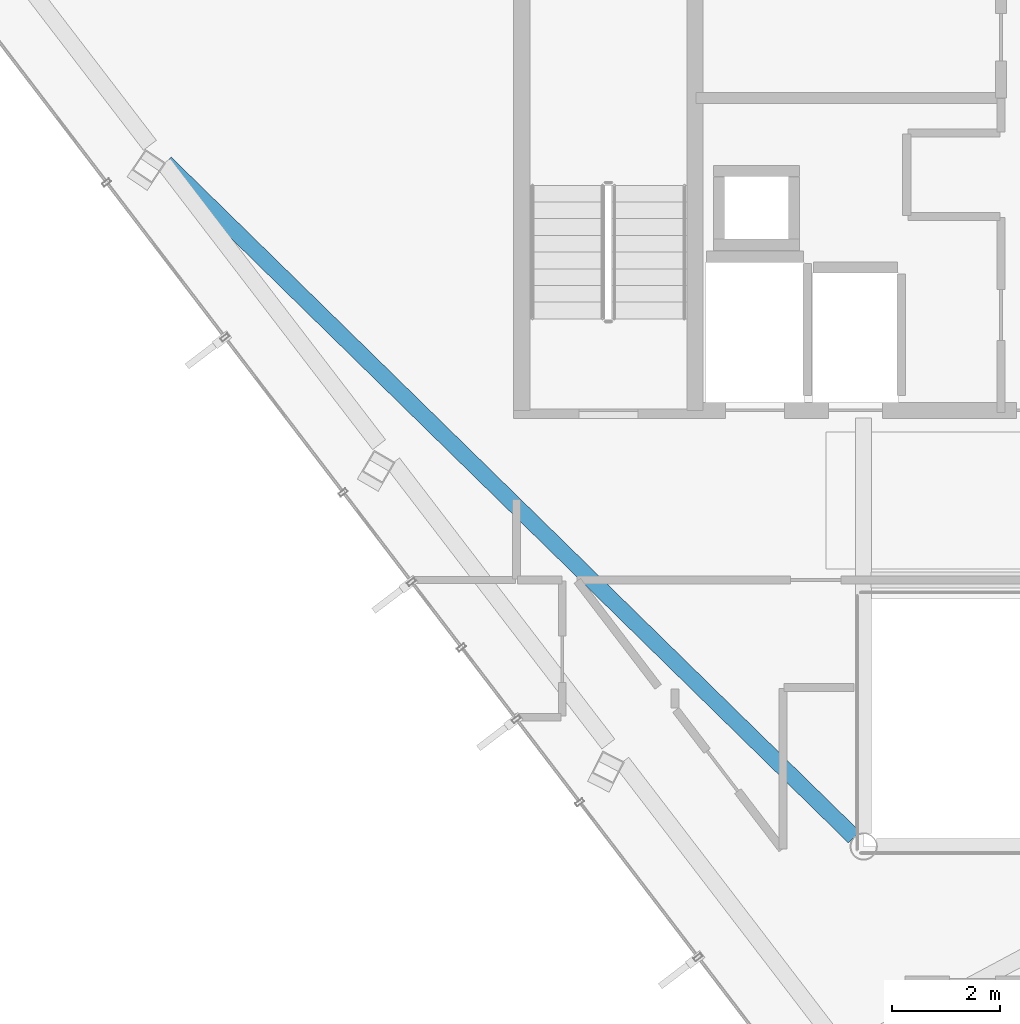
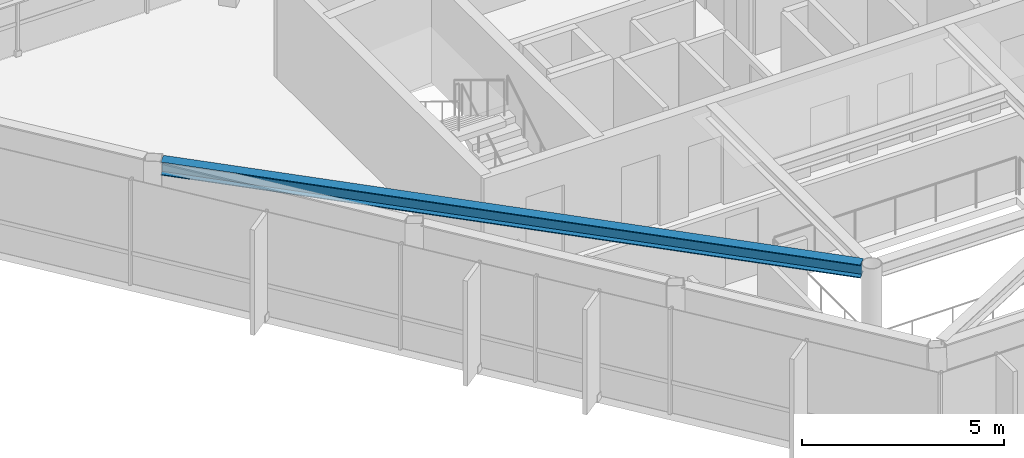
# One storey, part 6 of 22: 1 beam.
"""IFC4 building model written with IfcOpenShell, lengths in metres."""

from ifc_helpers import new_model, si_unit, direction, frame, origin, origin_2d, place, context, subcontext, project, spatial, i_section, extrude, material, material_profile, profile_set, type_object, element, save


model = new_model("IFC4")

# Units and contexts
model_context = context("Model", 3, precision=1e-05, world=origin(), true_north=direction((0.0, 1.0)))
body_context = subcontext(model_context, "Body", "Model", "MODEL_VIEW")
ifc_project = project(units=[si_unit("LENGTHUNIT", "METRE"), si_unit("AREAUNIT", "SQUARE_METRE"), si_unit("VOLUMEUNIT", "CUBIC_METRE"), si_unit("PLANEANGLEUNIT", "RADIAN"), si_unit("MASSUNIT", "GRAM", prefix="KILO")], contexts=[model_context])

# Site, building, storey
site_placement = place(None, origin())
site = spatial("IfcSite", under=ifc_project, at=site_placement, CompositionType="ELEMENT")
building_placement = place(site_placement, origin())
building = spatial("IfcBuilding", under=site, at=building_placement, Name="Zarrinselat Tower", CompositionType="ELEMENT")
storey_placement = place(building_placement, frame((0.0, 0.0, 295.800048828125)))
storey = spatial("IfcBuildingStorey", under=building, at=storey_placement, Name="L76", CompositionType="ELEMENT", Elevation=295.800048828125)

# Beam
ifc_material = material(Name="Steel S355J2", Category="steel")
ifc_material_profile = material_profile(ifc_material, i_section(OverallWidth=0.300048828125, OverallDepth=0.39990234375, WebThickness=0.013427734375, FlangeThickness=0.02392578125, at=origin_2d()), Name="HEB 400")
ifc_profile_set = profile_set([ifc_material_profile], Name="Steel S355J2")
beam_type = type_object("IfcBeamType", Name="BM-HEB400", PredefinedType="BEAM", material=ifc_profile_set)
beam_placement = place(storey_placement, frame((22.03564453125, 37.89599609375, 2.97998046875), z_axis=(0.71446240217, -0.699673835358, 0.0), x_axis=(0.699673835358, 0.71446240217, 0.0)))
element("IfcBeam", 1, at=beam_placement, inside=storey, type_object=beam_type, Name="L76 Radial Primary Girder RG07", PredefinedType="BEAM", context=body_context, shape_type="SweptSolid", body=[
    extrude(i_section(OverallWidth=0.300048828125, OverallDepth=0.39990234375, WebThickness=0.013427734375, FlangeThickness=0.02392578125, at=origin_2d()), origin(), (0.0, 0.0, 1.0), 17.8955078125),
])

save(model, "model.ifc")
